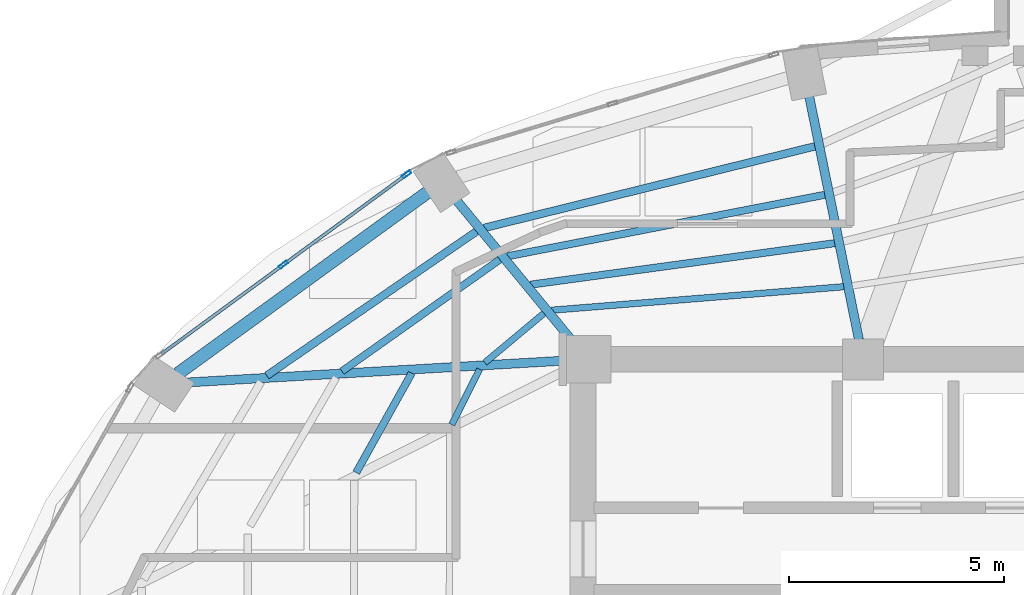
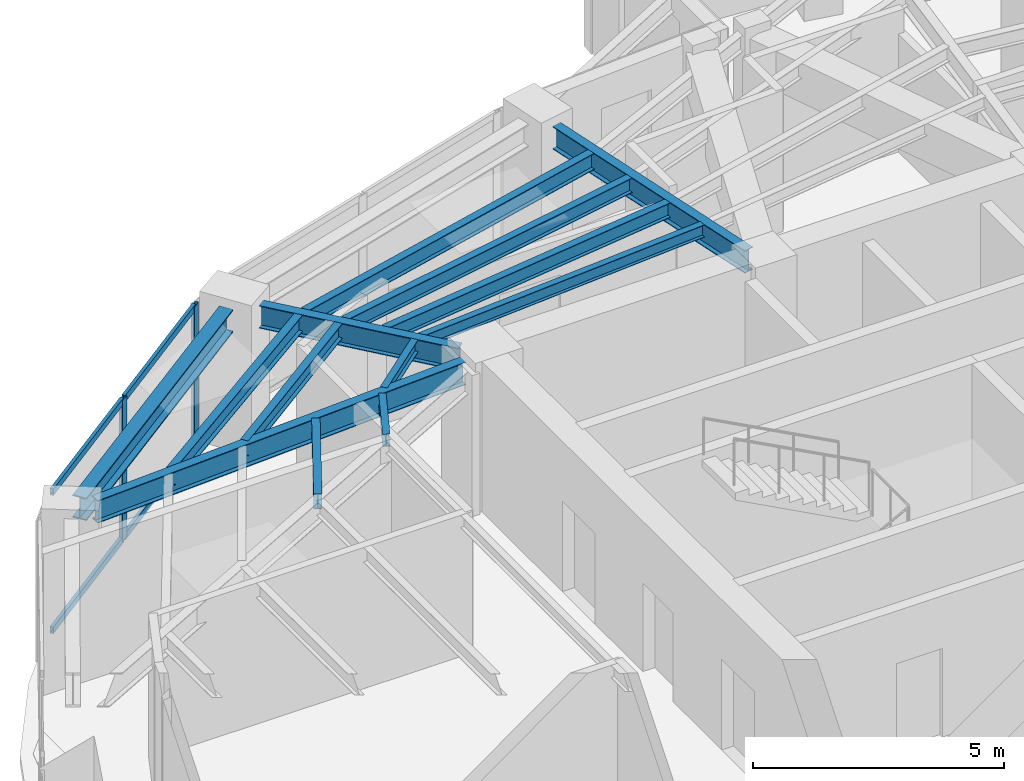
# One storey, part 7 of 19: 13 beams, 6 members, 1 element without a shape of its own.
"""IFC4 building model written with IfcOpenShell, lengths in metres."""

from ifc_helpers import new_model, si_unit, direction, frame, origin, origin_2d, place, context, subcontext, project, spatial, hollow_rectangle, i_section, extrude, material, layer, layer_set, material_profile, profile_set, type_object, element, aggregate, save


model = new_model("IFC4")

# Units and contexts
model_context = context("Model", 3, precision=1e-05, world=origin(), true_north=direction((0.0, 1.0)))
body_context = subcontext(model_context, "Body", "Model", "MODEL_VIEW")
ifc_project = project(units=[si_unit("LENGTHUNIT", "METRE"), si_unit("AREAUNIT", "SQUARE_METRE"), si_unit("VOLUMEUNIT", "CUBIC_METRE"), si_unit("PLANEANGLEUNIT", "RADIAN"), si_unit("MASSUNIT", "GRAM", prefix="KILO")], contexts=[model_context])

# Site, building, storey
site_placement = place(None, origin())
site = spatial("IfcSite", under=ifc_project, at=site_placement, CompositionType="ELEMENT")
building_placement = place(site_placement, origin())
building = spatial("IfcBuilding", under=site, at=building_placement, Name="Lazwardi Medical Tower", CompositionType="ELEMENT")
storey_placement = place(building_placement, frame((0.0, 0.0, 171.1201171875)))
storey = spatial("IfcBuildingStorey", under=building, at=storey_placement, Name="L44", CompositionType="ELEMENT", Elevation=171.1201171875)

# Beams
ifc_material_1 = material(Name="Steel S355", Category="steel")
ifc_material_profile_1 = material_profile(ifc_material_1, i_section(OverallWidth=0.300048828125, OverallDepth=0.550048828125, WebThickness=0.014892578125, FlangeThickness=0.029052734375, at=origin_2d()), Name="HEB 550")
ifc_profile_set_1 = profile_set([ifc_material_profile_1], Name="Steel S355")
beam_type_1 = type_object("IfcBeamType", Name="BM-RB-Z3", PredefinedType="BEAM", material=ifc_profile_set_1)
beam_1_placement = place(storey_placement, frame((22.689697265625, 39.479248046875, 3.15283203125), z_axis=(-0.809127570774, -0.587633026824, 0.0), x_axis=(0.587633026824, -0.809127570774, 0.0)))
element("IfcBeam", 1, at=beam_1_placement, inside=storey, type_object=beam_type_1, Name="Ring beam RB-04 B10 L44", PredefinedType="BEAM", context=body_context, shape_type="SweptSolid", body=[
    extrude(i_section(OverallWidth=0.300048828125, OverallDepth=0.550048828125, WebThickness=0.014892578125, FlangeThickness=0.029052734375, at=origin_2d()), origin(), (0.0, 0.0, 1.0), 7.170166015625),
])
ifc_material_profile_2 = material_profile(ifc_material_1, i_section(OverallWidth=0.2099609375, OverallDepth=0.550048828125, WebThickness=0.010986328125, FlangeThickness=0.01708984375, at=origin_2d()), Name="IPE 550")
ifc_profile_set_2 = profile_set([ifc_material_profile_2], Name="Steel S355")
beam_type_2 = type_object("IfcBeamType", Name="BM-RG-W2", PredefinedType="BEAM", material=ifc_profile_set_2)
beam_2_placement = place(storey_placement, frame((31.552001953125, 41.7001953125, 3.15283203125), z_axis=(0.200429485343, -0.979708130723, 0.0), x_axis=(0.979708130723, 0.200429485343, 0.0)))
element("IfcBeam", 2, at=beam_2_placement, inside=storey, type_object=beam_type_2, Name="Radial girder RG-03 R09 L44", PredefinedType="BEAM", context=body_context, shape_type="SweptSolid", body=[
    extrude(i_section(OverallWidth=0.2099609375, OverallDepth=0.550048828125, WebThickness=0.010986328125, FlangeThickness=0.01708984375, at=origin_2d()), origin(), (0.0, 0.0, 1.0), 5.766357421875),
])
beam_3_placement = place(storey_placement, frame((23.369384765625, 39.28173828125, 3.15283203125), z_axis=(0.635555639966, -0.772055068312, 0.0), x_axis=(0.772055068312, 0.635555639966, 0.0)))
element("IfcBeam", 3, at=beam_3_placement, inside=storey, type_object=beam_type_2, Name="Radial girder RG-03 R10 L44", PredefinedType="BEAM", context=body_context, shape_type="SweptSolid", body=[
    extrude(i_section(OverallWidth=0.2099609375, OverallDepth=0.550048828125, WebThickness=0.010986328125, FlangeThickness=0.01708984375, at=origin_2d()), origin(), (0.0, 0.0, 1.0), 4.233642578125),
])
beam_4_placement = place(storey_placement, frame((17.12353515625, 35.063232421875, 3.15283203125), z_axis=(0.998330154646, 0.057765927014, 0.0), x_axis=(-0.057765927014, 0.998330154646, 0.0)))
element("IfcBeam", 4, at=beam_4_placement, inside=storey, type_object=beam_type_2, Name="Radial girder RG-03 R11 L44", PredefinedType="BEAM", context=body_context, shape_type="SweptSolid", body=[
    extrude(i_section(OverallWidth=0.2099609375, OverallDepth=0.550048828125, WebThickness=0.010986328125, FlangeThickness=0.01708984375, at=origin_2d()), origin(), (0.0, 0.0, 1.0), 8.757080078125),
])
ifc_material_profile_3 = material_profile(ifc_material_1, i_section(OverallWidth=0.179931640625, OverallDepth=0.39990234375, WebThickness=0.008544921875, FlangeThickness=0.013427734375, at=origin_2d()), Name="IPE 400")
ifc_profile_set_3 = profile_set([ifc_material_profile_3], Name="Steel S355")
beam_type_3 = type_object("IfcBeamType", Name="BM-SJ-01", PredefinedType="JOIST", material=ifc_profile_set_3)
beam_5_placement = place(storey_placement, frame((31.68603515625, 40.54638671875, 3.227783203125), z_axis=(-0.970912648168, -0.239433977597, 0.0), x_axis=(0.239433977597, -0.970912648168, 0.0)))
element("IfcBeam", 5, at=beam_5_placement, inside=storey, type_object=beam_type_3, Name="Secondary joist SJ-01 R1 B09 L44", PredefinedType="JOIST", context=body_context, shape_type="SweptSolid", body=[
    extrude(i_section(OverallWidth=0.179931640625, OverallDepth=0.39990234375, WebThickness=0.008544921875, FlangeThickness=0.013427734375, at=origin_2d()), origin(), (0.0, 0.0, 1.0), 7.91162109375),
])
beam_6_placement = place(storey_placement, frame((23.8251953125, 38.5712890625, 3.227783203125), z_axis=(-0.823932256005, -0.566688307198, 0.0), x_axis=(0.566688307198, -0.823932256005, 0.0)))
element("IfcBeam", 6, at=beam_6_placement, inside=storey, type_object=beam_type_3, Name="Secondary joist SJ-01 R1 B10 L44", PredefinedType="JOIST", context=body_context, shape_type="SweptSolid", body=[
    extrude(i_section(OverallWidth=0.179931640625, OverallDepth=0.39990234375, WebThickness=0.008544921875, FlangeThickness=0.013427734375, at=origin_2d()), origin(), (0.0, 0.0, 1.0), 5.91162109375),
])
ifc_material_profile_4 = material_profile(ifc_material_1, i_section(OverallWidth=0.169921875, OverallDepth=0.360107421875, WebThickness=0.008056640625, FlangeThickness=0.0126953125, at=origin_2d()), Name="IPE 360")
ifc_profile_set_4 = profile_set([ifc_material_profile_4], Name="Steel S355")
beam_type_4 = type_object("IfcBeamType", Name="BM-SJ-02", PredefinedType="JOIST", material=ifc_profile_set_4)
beam_7_placement = place(storey_placement, frame((31.916015625, 39.42138671875, 3.247802734375), z_axis=(-0.981753035865, -0.190160396953, 0.0), x_axis=(0.190160396953, -0.981753035865, 0.0)))
element("IfcBeam", 7, at=beam_7_placement, inside=storey, type_object=beam_type_4, Name="Secondary joist SJ-02 R2 B09 L44", PredefinedType="JOIST", context=body_context, shape_type="SweptSolid", body=[
    extrude(i_section(OverallWidth=0.169921875, OverallDepth=0.360107421875, WebThickness=0.008056640625, FlangeThickness=0.0126953125, at=origin_2d()), origin(), (0.0, 0.0, 1.0), 7.50927734375),
])
beam_8_placement = place(storey_placement, frame((24.364013671875, 37.91650390625, 3.247802734375), z_axis=(-0.816108950798, -0.577898070967, 0.0), x_axis=(0.577898070967, -0.816108950798, 0.0)))
element("IfcBeam", 8, at=beam_8_placement, inside=storey, type_object=beam_type_4, Name="Secondary joist SJ-02 R2 B10 L44", PredefinedType="JOIST", context=body_context, shape_type="SweptSolid", body=[
    extrude(i_section(OverallWidth=0.169921875, OverallDepth=0.360107421875, WebThickness=0.008056640625, FlangeThickness=0.0126953125, at=origin_2d()), origin(), (0.0, 0.0, 1.0), 4.487060546875),
])
beam_9_placement = place(storey_placement, frame((32.146484375, 38.297119140625, 3.247802734375), z_axis=(-0.990832043476, -0.135099450852, 0.0), x_axis=(0.135099450852, -0.990832043476, 0.0)))
element("IfcBeam", 9, at=beam_9_placement, inside=storey, type_object=beam_type_4, Name="Secondary joist SJ-02 R3 B09 L44", PredefinedType="JOIST", context=body_context, shape_type="SweptSolid", body=[
    extrude(i_section(OverallWidth=0.169921875, OverallDepth=0.360107421875, WebThickness=0.008056640625, FlangeThickness=0.0126953125, at=origin_2d()), origin(), (0.0, 0.0, 1.0), 7.129150390625),
])
beam_10_placement = place(storey_placement, frame((22.3203125, 35.279296875, 3.247802734375), z_axis=(-0.487099444348, -0.87334651274, 0.0), x_axis=(0.87334651274, -0.487099444348, 0.0)))
element("IfcBeam", 10, at=beam_10_placement, inside=storey, type_object=beam_type_4, Name="Secondary joist SJ-02 R3 B11 L44", PredefinedType="JOIST", context=body_context, shape_type="SweptSolid", body=[
    extrude(i_section(OverallWidth=0.169921875, OverallDepth=0.360107421875, WebThickness=0.008056640625, FlangeThickness=0.0126953125, at=origin_2d()), origin(), (0.0, 0.0, 1.0), 2.64599609375),
])
ifc_material_profile_5 = material_profile(ifc_material_1, i_section(OverallWidth=0.14990234375, OverallDepth=0.300048828125, WebThickness=0.007080078125, FlangeThickness=0.0107421875, at=origin_2d()), Name="IPE 300")
ifc_profile_set_5 = profile_set([ifc_material_profile_5], Name="Steel S355")
beam_type_5 = type_object("IfcBeamType", Name="BM-SJ-03", PredefinedType="JOIST", material=ifc_profile_set_5)
beam_11_placement = place(storey_placement, frame((32.353759765625, 37.28564453125, 3.27783203125), z_axis=(-0.996785792338, -0.08011294647, 0.0), x_axis=(0.08011294647, -0.996785792338, 0.0)))
element("IfcBeam", 11, at=beam_11_placement, inside=storey, type_object=beam_type_5, Name="Secondary joist SJ-03 R4 B09 L44", PredefinedType="JOIST", context=body_context, shape_type="SweptSolid", body=[
    extrude(i_section(OverallWidth=0.14990234375, OverallDepth=0.300048828125, WebThickness=0.007080078125, FlangeThickness=0.0107421875, at=origin_2d()), origin(), (0.0, 0.0, 1.0), 6.80810546875),
])
beam_12_placement = place(storey_placement, frame((25.391357421875, 36.668212890625, 3.27783203125), z_axis=(-0.767437193893, -0.641124132621, 0.0), x_axis=(0.641124132621, -0.767437193893, 0.0)))
element("IfcBeam", 12, at=beam_12_placement, inside=storey, type_object=beam_type_5, Name="Secondary joist SJ-03 R4 B10 L44", PredefinedType="JOIST", context=body_context, shape_type="SweptSolid", body=[
    extrude(i_section(OverallWidth=0.14990234375, OverallDepth=0.300048828125, WebThickness=0.007080078125, FlangeThickness=0.0107421875, at=origin_2d()), origin(), (0.0, 0.0, 1.0), 1.787841796875),
])
beam_13_placement = place(storey_placement, frame((23.8974609375, 35.368408203125, 3.27783203125), z_axis=(-0.450406075332, -0.892823816497, 0.0), x_axis=(0.892823816497, -0.450406075332, 0.0)))
element("IfcBeam", 13, at=beam_13_placement, inside=storey, type_object=beam_type_5, Name="Secondary joist SJ-03 R4 B11 L44", PredefinedType="JOIST", context=body_context, shape_type="SweptSolid", body=[
    extrude(i_section(OverallWidth=0.14990234375, OverallDepth=0.300048828125, WebThickness=0.007080078125, FlangeThickness=0.0107421875, at=origin_2d()), origin(), (0.0, 0.0, 1.0), 1.4365234375),
])

# Curtain wall, members
ifc_material_2 = material(Name="Anodised bronze aluminium and solar control glazing", Category="aluminium")
ifc_layer = layer(ifc_material_2, 0.195068359375)
ifc_layer_set = layer_set([ifc_layer], Name="Anodised bronze aluminium and solar control glazing")
curtain_wall_type = type_object("IfcCurtainWallType", Name="CW-SYS-03", PredefinedType="NOTDEFINED", material=ifc_layer_set)
curtain_wall_placement = place(storey_placement, origin())
curtain_wall = element("IfcCurtainWall", 14, at=curtain_wall_placement, inside=storey, type_object=curtain_wall_type, Name="L44 Unitised bronze curtain wall CW-03", PredefinedType="NOTDEFINED")
ifc_material_3 = material(Name="Anodised bronze aluminium", Category="aluminium")
ifc_material_profile_6 = material_profile(ifc_material_3, hollow_rectangle(XDim=0.074951171875, YDim=0.219970703125, WallThickness=0.00390625, at=origin_2d()), Name="ALU-MULLION 220x75x4")
ifc_profile_set_6 = profile_set([ifc_material_profile_6], Name="Anodised bronze aluminium")
member_type_1 = type_object("IfcMemberType", Name="CW-MUL-01", PredefinedType="MULLION", material=ifc_profile_set_6)
member_1_placement = place(storey_placement, frame((22.204345703125, 39.894775390625, 0.0), z_axis=(0.0, 0.0, 1.0), x_axis=(0.590833862635, -0.806793249082, 0.0)))
member_1 = element("IfcMember", 15, at=member_1_placement, type_object=member_type_1, Name="CW-03 mullion 1", PredefinedType="MULLION", context=body_context, shape_type="SweptSolid", body=[
    extrude(hollow_rectangle(XDim=0.074951171875, YDim=0.219970703125, WallThickness=0.00390625, at=origin_2d()), origin(), (0.0, 0.0, 1.0), 3.427978515625),
])
member_2_placement = place(storey_placement, frame((19.34228515625, 37.798828125, 0.0), z_axis=(0.0, 0.0, 1.0), x_axis=(0.590833862635, -0.806793249082, 0.0)))
member_2 = element("IfcMember", 16, at=member_2_placement, type_object=member_type_1, Name="CW-03 mullion 2", PredefinedType="MULLION", context=body_context, shape_type="SweptSolid", body=[
    extrude(hollow_rectangle(XDim=0.074951171875, YDim=0.219970703125, WallThickness=0.00390625, at=origin_2d()), origin(), (0.0, 0.0, 1.0), 3.427978515625),
])
ifc_material_profile_7 = material_profile(ifc_material_3, hollow_rectangle(XDim=0.074951171875, YDim=0.159912109375, WallThickness=0.00390625, at=origin_2d()), Name="ALU-TRANSOM 160x75x4")
ifc_profile_set_7 = profile_set([ifc_material_profile_7], Name="Anodised bronze aluminium")
member_type_2 = type_object("IfcMemberType", Name="CW-TRN-01", PredefinedType="USERDEFINED", material=ifc_profile_set_7)
member_3_placement = place(storey_placement, frame((22.174072265625, 39.872802734375, 0.037353515625), z_axis=(-0.806773646358, -0.590860629542, 0.0), x_axis=(0.590860629542, -0.806773646358, 0.0)))
member_3 = element("IfcMember", 17, at=member_3_placement, type_object=member_type_2, Name="CW-03 transom 1.1", ObjectType="TRANSOM", PredefinedType="USERDEFINED", context=body_context, shape_type="SweptSolid", body=[
    extrude(hollow_rectangle(XDim=0.074951171875, YDim=0.159912109375, WallThickness=0.00390625, at=origin_2d()), origin(), (0.0, 0.0, 1.0), 3.472412109375),
])
member_4_placement = place(storey_placement, frame((22.174072265625, 39.872802734375, 3.390380859375), z_axis=(-0.806773646358, -0.590860629542, 0.0), x_axis=(0.590860629542, -0.806773646358, 0.0)))
member_4 = element("IfcMember", 18, at=member_4_placement, type_object=member_type_2, Name="CW-03 transom 1.2", ObjectType="TRANSOM", PredefinedType="USERDEFINED", context=body_context, shape_type="SweptSolid", body=[
    extrude(hollow_rectangle(XDim=0.074951171875, YDim=0.159912109375, WallThickness=0.00390625, at=origin_2d()), origin(), (0.0, 0.0, 1.0), 3.472412109375),
])
member_5_placement = place(storey_placement, frame((19.31201171875, 37.77685546875, 0.037353515625), z_axis=(-0.806773646358, -0.590860629542, 0.0), x_axis=(0.590860629542, -0.806773646358, 0.0)))
member_5 = element("IfcMember", 19, at=member_5_placement, type_object=member_type_2, Name="CW-03 transom 2.1", ObjectType="TRANSOM", PredefinedType="USERDEFINED", context=body_context, shape_type="SweptSolid", body=[
    extrude(hollow_rectangle(XDim=0.074951171875, YDim=0.159912109375, WallThickness=0.00390625, at=origin_2d()), origin(), (0.0, 0.0, 1.0), 3.472412109375),
])
member_6_placement = place(storey_placement, frame((19.31201171875, 37.77685546875, 3.390380859375), z_axis=(-0.806773646358, -0.590860629542, 0.0), x_axis=(0.590860629542, -0.806773646358, 0.0)))
member_6 = element("IfcMember", 20, at=member_6_placement, type_object=member_type_2, Name="CW-03 transom 2.2", ObjectType="TRANSOM", PredefinedType="USERDEFINED", context=body_context, shape_type="SweptSolid", body=[
    extrude(hollow_rectangle(XDim=0.074951171875, YDim=0.159912109375, WallThickness=0.00390625, at=origin_2d()), origin(), (0.0, 0.0, 1.0), 3.472412109375),
])
aggregate(curtain_wall, [member_1, member_2, member_3, member_4, member_5, member_6])

save(model, "model.ifc")
